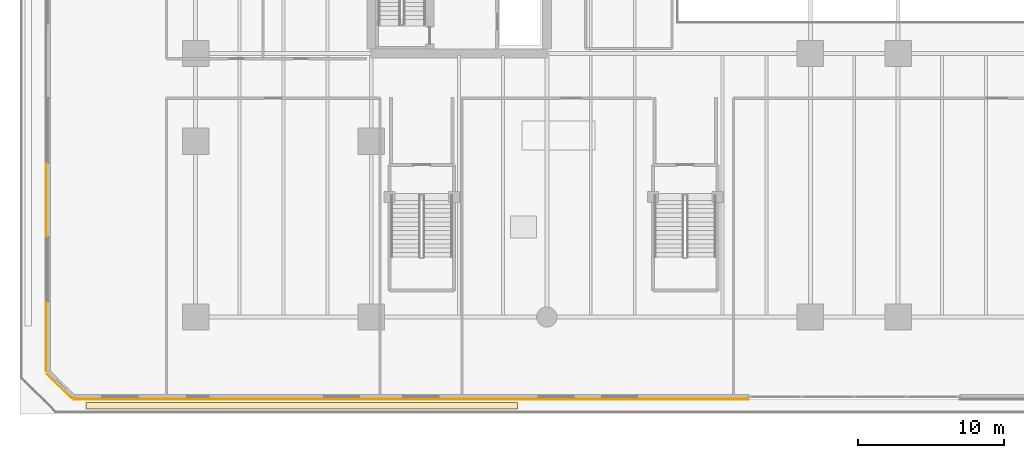
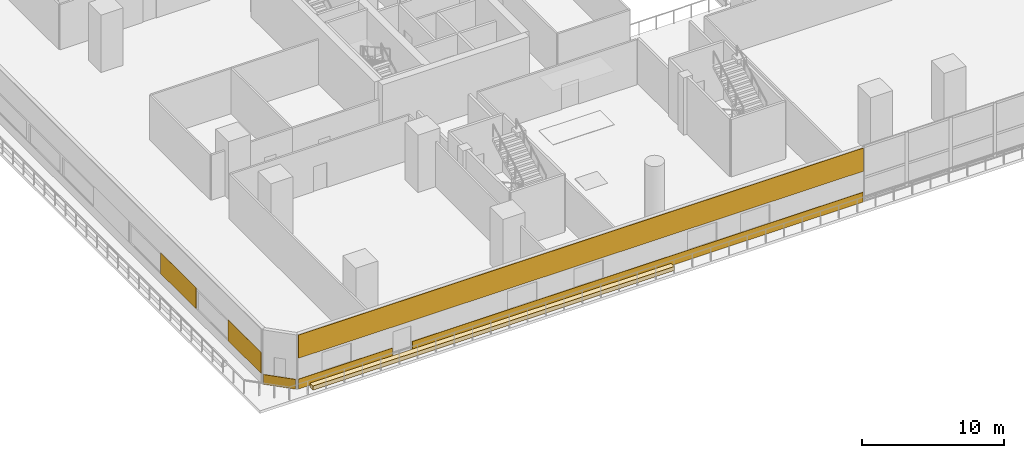
# One storey, part 15 of 24: 7 coverings.
"""IFC4 building model written with IfcOpenShell, lengths in metres."""

from ifc_helpers import new_model, si_unit, direction, frame, origin, origin_2d, place, context, subcontext, project, spatial, polyline, rectangle, outline, extrude, material, layer, layer_set, type_object, element, save


model = new_model("IFC4")

# Units and contexts
model_context = context("Model", 3, precision=1e-05, world=origin(), true_north=direction((0.0, 1.0)))
body_context = subcontext(model_context, "Body", "Model", "MODEL_VIEW")
ifc_project = project(units=[si_unit("LENGTHUNIT", "METRE"), si_unit("AREAUNIT", "SQUARE_METRE"), si_unit("VOLUMEUNIT", "CUBIC_METRE"), si_unit("PLANEANGLEUNIT", "RADIAN"), si_unit("MASSUNIT", "GRAM", prefix="KILO")], contexts=[model_context])

# Site, building, storey
site_placement = place(None, origin())
site = spatial("IfcSite", under=ifc_project, at=site_placement, CompositionType="ELEMENT")
building_placement = place(site_placement, origin())
building = spatial("IfcBuilding", under=site, at=building_placement, Name="Tanjung Sevakor Pilgrim Tower", CompositionType="ELEMENT")
storey_placement = place(building_placement, frame((0.0, 0.0, 4.949951171875)))
storey = spatial("IfcBuildingStorey", under=building, at=storey_placement, Name="L02", CompositionType="ELEMENT", Elevation=4.949951171875)

# Coverings
ifc_material_1 = material(Name="Reconstructed Limestone Cladding", Category="masonry")
ifc_layer_1 = layer(ifc_material_1, 0.044921875)
ifc_layer_set_1 = layer_set([ifc_layer_1], Name="COV-CLAD-LIMESTONE")
covering_type_1 = type_object("IfcCoveringType", Name="COV-CLAD-LIMESTONE", PredefinedType="CLADDING", material=ifc_layer_set_1)
covering_1_placement = place(storey_placement, frame((7.527099609375, 0.9775390625, 0.009765625), z_axis=(0.0, 0.0, 1.0), x_axis=(1.0, 0.0, 0.0)))
element("IfcCovering", 1, at=covering_1_placement, inside=storey, type_object=covering_type_1, Name="L02 Warm Limestone Sill Spandrel EW-L02-S1-1", PredefinedType="CLADDING", context=body_context, shape_type="SweptSolid", body=[
    extrude(rectangle(XDim=7.64990234375, YDim=0.044921875, at=origin_2d()), origin(), (0.0, 0.0, 1.0), 0.840087890625),
])
covering_2_placement = place(storey_placement, frame((31.365966796875, 0.9775390625, 0.009765625), z_axis=(0.0, 0.0, 1.0), x_axis=(1.0, 0.0, 0.0)))
element("IfcCovering", 2, at=covering_2_placement, inside=storey, type_object=covering_type_1, Name="L02 Warm Limestone Sill Spandrel EW-L02-S1-2", PredefinedType="CLADDING", context=body_context, shape_type="SweptSolid", body=[
    extrude(rectangle(XDim=36.787841796875, YDim=0.044921875, at=origin_2d()), origin(), (0.0, 0.0, 1.0), 0.840087890625),
])
covering_3_placement = place(storey_placement, frame((26.73095703125, 0.9775390625, 2.66015625), z_axis=(0.0, 0.0, 1.0), x_axis=(1.0, 0.0, 0.0)))
element("IfcCovering", 3, at=covering_3_placement, inside=storey, type_object=covering_type_1, Name="L02 Warm Limestone Cornice Spandrel EW-L02-S1", PredefinedType="CLADDING", context=body_context, shape_type="SweptSolid", body=[
    extrude(rectangle(XDim=46.097900390625, YDim=0.044921875, at=origin_2d()), origin(), (0.0, 0.0, 1.0), 2.0),
])
covering_4_placement = place(storey_placement, frame((1.777587890625, 14.60009765625, 0.85009765625), z_axis=(0.0, 0.0, 1.0), x_axis=(0.0, -1.0, 0.0)))
element("IfcCovering", 4, at=covering_4_placement, inside=storey, type_object=covering_type_1, Name="L02 Warm Limestone Pier Panel EW-L02-MAIN-7-5", PredefinedType="CLADDING", context=body_context, shape_type="SweptSolid", body=[
    extrude(rectangle(XDim=5.0, YDim=0.044921875, at=origin_2d()), origin(), (0.0, 0.0, 1.0), 1.81005859375),
])
covering_5_placement = place(storey_placement, frame((1.777587890625, 5.251220703125, 0.85009765625), z_axis=(0.0, 0.0, 1.0), x_axis=(0.0, -1.0, 0.0)))
element("IfcCovering", 5, at=covering_5_placement, inside=storey, type_object=covering_type_1, Name="L02 Warm Limestone Pier Panel EW-L02-MAIN-7-6", PredefinedType="CLADDING", context=body_context, shape_type="SweptSolid", body=[
    extrude(rectangle(XDim=4.697998046875, YDim=0.044921875, at=origin_2d()), origin(), (0.0, 0.0, 1.0), 1.81005859375),
])
covering_6_placement = place(storey_placement, frame((2.68408203125, 1.884033203125, 0.009765625), z_axis=(0.0, 0.0, 1.0), x_axis=(0.707106781187, -0.707106781187, 0.0)))
element("IfcCovering", 6, at=covering_6_placement, inside=storey, type_object=covering_type_1, Name="L02 Warm Limestone Sill Spandrel EW-L02-MAIN-8-1", PredefinedType="CLADDING", context=body_context, shape_type="SweptSolid", body=[
    extrude(rectangle(XDim=2.34130859375, YDim=0.044921875, at=origin_2d()), origin(), (0.0, 0.0, 1.0), 0.840087890625),
])
ifc_material_2 = material(Name="Vegetated Modular Planter Assembly", Category="organic")
ifc_layer_2 = layer(ifc_material_2, 0.35009765625)
ifc_layer_set_2 = layer_set([ifc_layer_2], Name="COV-GRN-TROUGH")
covering_type_2 = type_object("IfcCoveringType", Name="COV-GRN-TROUGH", PredefinedType="CLADDING", material=ifc_layer_set_2)
covering_7_placement = place(storey_placement, origin())
element("IfcCovering", 7, at=covering_7_placement, inside=storey, type_object=covering_type_2, Name="L02 Planted Landscape Hedge Trough PGRN-L02-SW", PredefinedType="CLADDING", context=body_context, shape_type="SweptSolid", body=[
    extrude(outline(polyline([(4.5, 0.330078125), (34.0, 0.330078125), (34.0, 0.77001953125), (4.5, 0.77001953125), (4.5, 0.330078125)])), origin(), (0.0, 0.0, 1.0), 0.35009765625),
])

save(model, "model.ifc")
